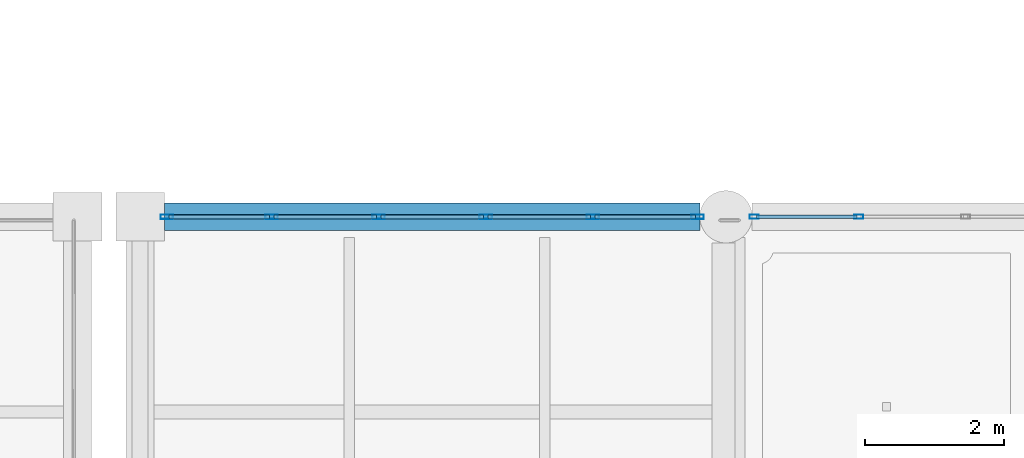
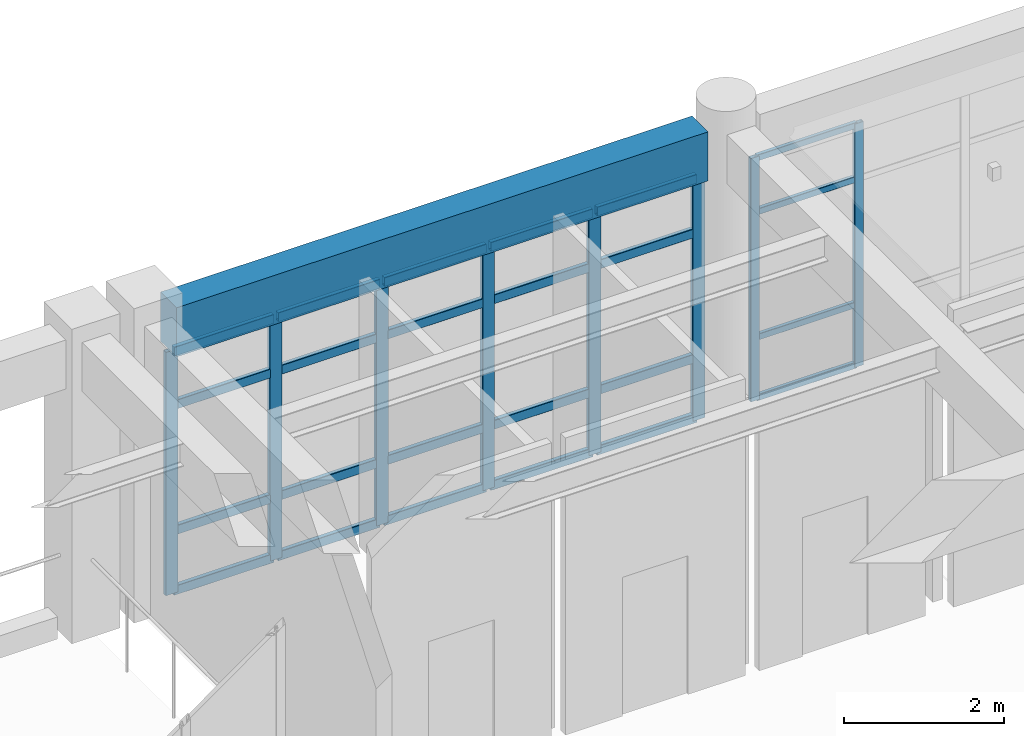
# One storey, part 18 of 111: 32 members, 1 beam, 2 elements without a shape of their own.
"""IFC4 building model written with IfcOpenShell, lengths in metres."""

from ifc_helpers import new_model, si_unit, direction, frame, origin, origin_2d, place, context, subcontext, project, spatial, rectangle, hollow_rectangle, extrude, material, material_profile, profile_set, type_object, element, aggregate, save


model = new_model("IFC4")

# Units and contexts
model_context = context("Model", 3, precision=1e-05, world=origin(), true_north=direction((0.0, 1.0)))
body_context = subcontext(model_context, "Body", "Model", "MODEL_VIEW")
ifc_project = project(units=[si_unit("LENGTHUNIT", "METRE"), si_unit("AREAUNIT", "SQUARE_METRE"), si_unit("VOLUMEUNIT", "CUBIC_METRE"), si_unit("PLANEANGLEUNIT", "RADIAN"), si_unit("MASSUNIT", "GRAM", prefix="KILO")], contexts=[model_context])

# Site, building, storey
site_placement = place(None, origin())
site = spatial("IfcSite", under=ifc_project, at=site_placement, CompositionType="ELEMENT")
building_placement = place(site_placement, origin())
building = spatial("IfcBuilding", under=site, at=building_placement, Name="Canglan Escarpment Cableway Terminal", CompositionType="ELEMENT")
storey_placement = place(building_placement, frame((0.0, 0.0, 4.800048828125)))
storey = spatial("IfcBuildingStorey", under=building, at=storey_placement, Name="L01", CompositionType="ELEMENT", Elevation=4.800048828125)

# Curtain wall, members
ifc_material_1 = material(Name="Anodized bronze aluminium and Low-E double glazing", Category="aluminium")
curtain_wall_type_1 = type_object("IfcCurtainWallType", Name="CW-BAY-7650x3725", PredefinedType="NOTDEFINED", material=ifc_material_1)
curtain_wall_1_placement = place(storey_placement, origin())
curtain_wall_1 = element("IfcCurtainWall", 1, at=curtain_wall_1_placement, inside=storey, type_object=curtain_wall_type_1, Name="Classical bay-between-piers glazed curtain wall CW-01", PredefinedType="NOTDEFINED")
ifc_material_2 = material(Name="Thermally broken anodized aluminium 6063-T6", Category="aluminium")
ifc_material_profile_1 = material_profile(ifc_material_2, hollow_rectangle(XDim=0.06005859375, YDim=0.1298828125, WallThickness=0.0029296875, InnerFilletRadius=0.0029296875, OuterFilletRadius=0.006103515625, at=origin_2d()), Name="ALU-MULL 60x130x3")
ifc_profile_set_1 = profile_set([ifc_material_profile_1], Name="Thermally broken anodized aluminium 6063-T6")
member_type_1 = type_object("IfcMemberType", Name="CWM-01", PredefinedType="MULLION", material=ifc_profile_set_1)
member_1_placement = place(storey_placement, frame((52.804931640625, 24.800048828125, 0.0), z_axis=(0.0, 0.0, 1.0), x_axis=(0.0, -1.0, 0.0)))
member_1 = element("IfcMember", 2, at=member_1_placement, type_object=member_type_1, Name="CW-01 mullion 5", PredefinedType="MULLION", context=body_context, shape_type="SweptSolid", body=[
    extrude(hollow_rectangle(XDim=0.06005859375, YDim=0.1298828125, WallThickness=0.0029296875, InnerFilletRadius=0.0029296875, OuterFilletRadius=0.006103515625, at=origin_2d()), origin(), (0.0, 0.0, 1.0), 3.71484375),
])
member_2_placement = place(storey_placement, frame((51.304931640625, 24.800048828125, 0.0), z_axis=(0.0, 0.0, 1.0), x_axis=(0.0, -1.0, 0.0)))
member_2 = element("IfcMember", 3, at=member_2_placement, type_object=member_type_1, Name="CW-01 mullion 6", PredefinedType="MULLION", context=body_context, shape_type="SweptSolid", body=[
    extrude(hollow_rectangle(XDim=0.06005859375, YDim=0.1298828125, WallThickness=0.0029296875, InnerFilletRadius=0.0029296875, OuterFilletRadius=0.006103515625, at=origin_2d()), origin(), (0.0, 0.0, 1.0), 3.71484375),
])

curtain_wall_type_2 = type_object("IfcCurtainWallType", Name="CW-BAY-7675x3725", PredefinedType="NOTDEFINED", material=ifc_material_1)
curtain_wall_2_placement = place(storey_placement, origin())
curtain_wall_2 = element("IfcCurtainWall", 4, at=curtain_wall_2_placement, inside=storey, type_object=curtain_wall_type_2, Name="Classical bay-between-piers glazed curtain wall CW-05", PredefinedType="NOTDEFINED")
ifc_material_profile_2 = material_profile(ifc_material_2, hollow_rectangle(XDim=0.06494140625, YDim=0.179931640625, WallThickness=0.00390625, InnerFilletRadius=0.00390625, OuterFilletRadius=0.008056640625, at=origin_2d()), Name="ALU-MULL 65x180x4")
ifc_profile_set_2 = profile_set([ifc_material_profile_2], Name="Thermally broken anodized aluminium 6063-T6")
member_type_2 = type_object("IfcMemberType", Name="CWM-03", PredefinedType="MULLION", material=ifc_profile_set_2)
member_3_placement = place(storey_placement, frame((50.492431640625, 24.800048828125, 0.0), z_axis=(0.0, 0.0, 1.0), x_axis=(0.0, -1.0, 0.0)))
member_3 = element("IfcMember", 5, at=member_3_placement, type_object=member_type_2, Name="CW-05 mullion 1", PredefinedType="MULLION", context=body_context, shape_type="SweptSolid", body=[
    extrude(hollow_rectangle(XDim=0.06494140625, YDim=0.179931640625, WallThickness=0.00390625, InnerFilletRadius=0.00390625, OuterFilletRadius=0.008056640625, at=origin_2d()), origin(), (0.0, 0.0, 1.0), 3.71484375),
])
member_4_placement = place(storey_placement, frame((48.989990234375, 24.800048828125, 0.0), z_axis=(0.0, 0.0, 1.0), x_axis=(0.0, -1.0, 0.0)))
member_4 = element("IfcMember", 6, at=member_4_placement, type_object=member_type_2, Name="CW-05 mullion 2", PredefinedType="MULLION", context=body_context, shape_type="SweptSolid", body=[
    extrude(hollow_rectangle(XDim=0.06494140625, YDim=0.179931640625, WallThickness=0.00390625, InnerFilletRadius=0.00390625, OuterFilletRadius=0.008056640625, at=origin_2d()), origin(), (0.0, 0.0, 1.0), 3.71484375),
])
member_5_placement = place(storey_placement, frame((47.455078125, 24.800048828125, 0.0), z_axis=(0.0, 0.0, 1.0), x_axis=(0.0, -1.0, 0.0)))
member_5 = element("IfcMember", 7, at=member_5_placement, type_object=member_type_2, Name="CW-05 mullion 3", PredefinedType="MULLION", context=body_context, shape_type="SweptSolid", body=[
    extrude(hollow_rectangle(XDim=0.06494140625, YDim=0.179931640625, WallThickness=0.00390625, InnerFilletRadius=0.00390625, OuterFilletRadius=0.008056640625, at=origin_2d()), origin(), (0.0, 0.0, 1.0), 3.71484375),
])
member_6_placement = place(storey_placement, frame((45.919921875, 24.800048828125, 0.0), z_axis=(0.0, 0.0, 1.0), x_axis=(0.0, -1.0, 0.0)))
member_6 = element("IfcMember", 8, at=member_6_placement, type_object=member_type_2, Name="CW-05 mullion 4", PredefinedType="MULLION", context=body_context, shape_type="SweptSolid", body=[
    extrude(hollow_rectangle(XDim=0.06494140625, YDim=0.179931640625, WallThickness=0.00390625, InnerFilletRadius=0.00390625, OuterFilletRadius=0.008056640625, at=origin_2d()), origin(), (0.0, 0.0, 1.0), 3.71484375),
])
member_7_placement = place(storey_placement, frame((44.385009765625, 24.800048828125, 0.0), z_axis=(0.0, 0.0, 1.0), x_axis=(0.0, -1.0, 0.0)))
member_7 = element("IfcMember", 9, at=member_7_placement, type_object=member_type_2, Name="CW-05 mullion 5", PredefinedType="MULLION", context=body_context, shape_type="SweptSolid", body=[
    extrude(hollow_rectangle(XDim=0.06494140625, YDim=0.179931640625, WallThickness=0.00390625, InnerFilletRadius=0.00390625, OuterFilletRadius=0.008056640625, at=origin_2d()), origin(), (0.0, 0.0, 1.0), 3.71484375),
])
member_8_placement = place(storey_placement, frame((42.882568359375, 24.800048828125, 0.0), z_axis=(0.0, 0.0, 1.0), x_axis=(0.0, -1.0, 0.0)))
member_8 = element("IfcMember", 10, at=member_8_placement, type_object=member_type_2, Name="CW-05 mullion 6", PredefinedType="MULLION", context=body_context, shape_type="SweptSolid", body=[
    extrude(hollow_rectangle(XDim=0.06494140625, YDim=0.179931640625, WallThickness=0.00390625, InnerFilletRadius=0.00390625, OuterFilletRadius=0.008056640625, at=origin_2d()), origin(), (0.0, 0.0, 1.0), 3.71484375),
])

# Member
ifc_material_profile_3 = material_profile(ifc_material_2, hollow_rectangle(XDim=0.054931640625, YDim=0.094970703125, WallThickness=0.0029296875, InnerFilletRadius=0.0029296875, OuterFilletRadius=0.006103515625, at=origin_2d()), Name="ALU-TRAN 55x95x3")
ifc_profile_set_3 = profile_set([ifc_material_profile_3], Name="Thermally broken anodized aluminium 6063-T6")
member_type_3 = type_object("IfcMemberType", Name="CWT-01", PredefinedType="USERDEFINED", material=ifc_profile_set_3)
member_9_placement = place(storey_placement, frame((52.77490234375, 24.800048828125, 0.02734375), z_axis=(-1.0, 0.0, 0.0), x_axis=(0.0, -1.0, 0.0)))
member_9 = element("IfcMember", 11, at=member_9_placement, type_object=member_type_3, Name="CW-01 transom 5.1", ObjectType="TRANSOM", PredefinedType="USERDEFINED", context=body_context, shape_type="SweptSolid", body=[
    extrude(hollow_rectangle(XDim=0.054931640625, YDim=0.094970703125, WallThickness=0.0029296875, InnerFilletRadius=0.0029296875, OuterFilletRadius=0.006103515625, at=origin_2d()), origin(), (0.0, 0.0, 1.0), 1.43994140625),
])

member_10_placement = place(storey_placement, frame((52.77490234375, 24.800048828125, 0.949951171875), z_axis=(-1.0, 0.0, 0.0), x_axis=(0.0, -1.0, 0.0)))
member_10 = element("IfcMember", 12, at=member_10_placement, type_object=member_type_3, Name="CW-01 transom 5.2", ObjectType="TRANSOM", PredefinedType="USERDEFINED", context=body_context, shape_type="SweptSolid", body=[
    extrude(hollow_rectangle(XDim=0.054931640625, YDim=0.094970703125, WallThickness=0.0029296875, InnerFilletRadius=0.0029296875, OuterFilletRadius=0.006103515625, at=origin_2d()), origin(), (0.0, 0.0, 1.0), 1.43994140625),
])

member_11_placement = place(storey_placement, frame((52.77490234375, 24.800048828125, 2.864990234375), z_axis=(-1.0, 0.0, 0.0), x_axis=(0.0, -1.0, 0.0)))
member_11 = element("IfcMember", 13, at=member_11_placement, type_object=member_type_3, Name="CW-01 transom 5.3", ObjectType="TRANSOM", PredefinedType="USERDEFINED", context=body_context, shape_type="SweptSolid", body=[
    extrude(hollow_rectangle(XDim=0.054931640625, YDim=0.094970703125, WallThickness=0.0029296875, InnerFilletRadius=0.0029296875, OuterFilletRadius=0.006103515625, at=origin_2d()), origin(), (0.0, 0.0, 1.0), 1.43994140625),
])

member_12_placement = place(storey_placement, frame((52.77490234375, 24.800048828125, 3.6875), z_axis=(-1.0, 0.0, 0.0), x_axis=(0.0, -1.0, 0.0)))
member_12 = element("IfcMember", 14, at=member_12_placement, type_object=member_type_3, Name="CW-01 transom 5.4", ObjectType="TRANSOM", PredefinedType="USERDEFINED", context=body_context, shape_type="SweptSolid", body=[
    extrude(hollow_rectangle(XDim=0.054931640625, YDim=0.094970703125, WallThickness=0.0029296875, InnerFilletRadius=0.0029296875, OuterFilletRadius=0.006103515625, at=origin_2d()), origin(), (0.0, 0.0, 1.0), 1.43994140625),
])

aggregate(curtain_wall_1, [member_1, member_2, member_9, member_10, member_11, member_12])

ifc_material_profile_4 = material_profile(ifc_material_2, hollow_rectangle(XDim=0.06494140625, YDim=0.139892578125, WallThickness=0.00341796875, InnerFilletRadius=0.00341796875, OuterFilletRadius=0.007080078125, at=origin_2d()), Name="ALU-TRAN 65x140x3.5")
ifc_profile_set_4 = profile_set([ifc_material_profile_4], Name="Thermally broken anodized aluminium 6063-T6")
member_type_4 = type_object("IfcMemberType", Name="CWT-03", PredefinedType="USERDEFINED", material=ifc_profile_set_4)
member_13_placement = place(storey_placement, frame((50.4599609375, 24.800048828125, 0.032470703125), z_axis=(-1.0, 0.0, 0.0), x_axis=(0.0, -1.0, 0.0)))
member_13 = element("IfcMember", 15, at=member_13_placement, type_object=member_type_4, Name="CW-05 transom 1.1", ObjectType="TRANSOM", PredefinedType="USERDEFINED", context=body_context, shape_type="SweptSolid", body=[
    extrude(hollow_rectangle(XDim=0.06494140625, YDim=0.139892578125, WallThickness=0.00341796875, InnerFilletRadius=0.00341796875, OuterFilletRadius=0.007080078125, at=origin_2d()), origin(), (0.0, 0.0, 1.0), 1.4375),
])

member_14_placement = place(storey_placement, frame((50.4599609375, 24.800048828125, 0.949951171875), z_axis=(-1.0, 0.0, 0.0), x_axis=(0.0, -1.0, 0.0)))
member_14 = element("IfcMember", 16, at=member_14_placement, type_object=member_type_4, Name="CW-05 transom 1.2", ObjectType="TRANSOM", PredefinedType="USERDEFINED", context=body_context, shape_type="SweptSolid", body=[
    extrude(hollow_rectangle(XDim=0.06494140625, YDim=0.139892578125, WallThickness=0.00341796875, InnerFilletRadius=0.00341796875, OuterFilletRadius=0.007080078125, at=origin_2d()), origin(), (0.0, 0.0, 1.0), 1.4375),
])

member_15_placement = place(storey_placement, frame((50.4599609375, 24.800048828125, 2.864990234375), z_axis=(-1.0, 0.0, 0.0), x_axis=(0.0, -1.0, 0.0)))
member_15 = element("IfcMember", 17, at=member_15_placement, type_object=member_type_4, Name="CW-05 transom 1.3", ObjectType="TRANSOM", PredefinedType="USERDEFINED", context=body_context, shape_type="SweptSolid", body=[
    extrude(hollow_rectangle(XDim=0.06494140625, YDim=0.139892578125, WallThickness=0.00341796875, InnerFilletRadius=0.00341796875, OuterFilletRadius=0.007080078125, at=origin_2d()), origin(), (0.0, 0.0, 1.0), 1.4375),
])

member_16_placement = place(storey_placement, frame((50.4599609375, 24.800048828125, 3.682373046875), z_axis=(-1.0, 0.0, 0.0), x_axis=(0.0, -1.0, 0.0)))
member_16 = element("IfcMember", 18, at=member_16_placement, type_object=member_type_4, Name="CW-05 transom 1.4", ObjectType="TRANSOM", PredefinedType="USERDEFINED", context=body_context, shape_type="SweptSolid", body=[
    extrude(hollow_rectangle(XDim=0.06494140625, YDim=0.139892578125, WallThickness=0.00341796875, InnerFilletRadius=0.00341796875, OuterFilletRadius=0.007080078125, at=origin_2d()), origin(), (0.0, 0.0, 1.0), 1.4375),
])

member_17_placement = place(storey_placement, frame((48.95751953125, 24.800048828125, 0.032470703125), z_axis=(-1.0, 0.0, 0.0), x_axis=(0.0, -1.0, 0.0)))
member_17 = element("IfcMember", 19, at=member_17_placement, type_object=member_type_4, Name="CW-05 transom 2.1", ObjectType="TRANSOM", PredefinedType="USERDEFINED", context=body_context, shape_type="SweptSolid", body=[
    extrude(hollow_rectangle(XDim=0.06494140625, YDim=0.139892578125, WallThickness=0.00341796875, InnerFilletRadius=0.00341796875, OuterFilletRadius=0.007080078125, at=origin_2d()), origin(), (0.0, 0.0, 1.0), 1.469970703125),
])

member_18_placement = place(storey_placement, frame((48.95751953125, 24.800048828125, 0.949951171875), z_axis=(-1.0, 0.0, 0.0), x_axis=(0.0, -1.0, 0.0)))
member_18 = element("IfcMember", 20, at=member_18_placement, type_object=member_type_4, Name="CW-05 transom 2.2", ObjectType="TRANSOM", PredefinedType="USERDEFINED", context=body_context, shape_type="SweptSolid", body=[
    extrude(hollow_rectangle(XDim=0.06494140625, YDim=0.139892578125, WallThickness=0.00341796875, InnerFilletRadius=0.00341796875, OuterFilletRadius=0.007080078125, at=origin_2d()), origin(), (0.0, 0.0, 1.0), 1.469970703125),
])

member_19_placement = place(storey_placement, frame((48.95751953125, 24.800048828125, 2.864990234375), z_axis=(-1.0, 0.0, 0.0), x_axis=(0.0, -1.0, 0.0)))
member_19 = element("IfcMember", 21, at=member_19_placement, type_object=member_type_4, Name="CW-05 transom 2.3", ObjectType="TRANSOM", PredefinedType="USERDEFINED", context=body_context, shape_type="SweptSolid", body=[
    extrude(hollow_rectangle(XDim=0.06494140625, YDim=0.139892578125, WallThickness=0.00341796875, InnerFilletRadius=0.00341796875, OuterFilletRadius=0.007080078125, at=origin_2d()), origin(), (0.0, 0.0, 1.0), 1.469970703125),
])

member_20_placement = place(storey_placement, frame((48.95751953125, 24.800048828125, 3.682373046875), z_axis=(-1.0, 0.0, 0.0), x_axis=(0.0, -1.0, 0.0)))
member_20 = element("IfcMember", 22, at=member_20_placement, type_object=member_type_4, Name="CW-05 transom 2.4", ObjectType="TRANSOM", PredefinedType="USERDEFINED", context=body_context, shape_type="SweptSolid", body=[
    extrude(hollow_rectangle(XDim=0.06494140625, YDim=0.139892578125, WallThickness=0.00341796875, InnerFilletRadius=0.00341796875, OuterFilletRadius=0.007080078125, at=origin_2d()), origin(), (0.0, 0.0, 1.0), 1.469970703125),
])

member_21_placement = place(storey_placement, frame((47.422607421875, 24.800048828125, 0.032470703125), z_axis=(-1.0, 0.0, 0.0), x_axis=(0.0, -1.0, 0.0)))
member_21 = element("IfcMember", 23, at=member_21_placement, type_object=member_type_4, Name="CW-05 transom 3.1", ObjectType="TRANSOM", PredefinedType="USERDEFINED", context=body_context, shape_type="SweptSolid", body=[
    extrude(hollow_rectangle(XDim=0.06494140625, YDim=0.139892578125, WallThickness=0.00341796875, InnerFilletRadius=0.00341796875, OuterFilletRadius=0.007080078125, at=origin_2d()), origin(), (0.0, 0.0, 1.0), 1.47021484375),
])

member_22_placement = place(storey_placement, frame((47.422607421875, 24.800048828125, 0.949951171875), z_axis=(-1.0, 0.0, 0.0), x_axis=(0.0, -1.0, 0.0)))
member_22 = element("IfcMember", 24, at=member_22_placement, type_object=member_type_4, Name="CW-05 transom 3.2", ObjectType="TRANSOM", PredefinedType="USERDEFINED", context=body_context, shape_type="SweptSolid", body=[
    extrude(hollow_rectangle(XDim=0.06494140625, YDim=0.139892578125, WallThickness=0.00341796875, InnerFilletRadius=0.00341796875, OuterFilletRadius=0.007080078125, at=origin_2d()), origin(), (0.0, 0.0, 1.0), 1.47021484375),
])

member_23_placement = place(storey_placement, frame((47.422607421875, 24.800048828125, 2.864990234375), z_axis=(-1.0, 0.0, 0.0), x_axis=(0.0, -1.0, 0.0)))
member_23 = element("IfcMember", 25, at=member_23_placement, type_object=member_type_4, Name="CW-05 transom 3.3", ObjectType="TRANSOM", PredefinedType="USERDEFINED", context=body_context, shape_type="SweptSolid", body=[
    extrude(hollow_rectangle(XDim=0.06494140625, YDim=0.139892578125, WallThickness=0.00341796875, InnerFilletRadius=0.00341796875, OuterFilletRadius=0.007080078125, at=origin_2d()), origin(), (0.0, 0.0, 1.0), 1.47021484375),
])

member_24_placement = place(storey_placement, frame((47.422607421875, 24.800048828125, 3.682373046875), z_axis=(-1.0, 0.0, 0.0), x_axis=(0.0, -1.0, 0.0)))
member_24 = element("IfcMember", 26, at=member_24_placement, type_object=member_type_4, Name="CW-05 transom 3.4", ObjectType="TRANSOM", PredefinedType="USERDEFINED", context=body_context, shape_type="SweptSolid", body=[
    extrude(hollow_rectangle(XDim=0.06494140625, YDim=0.139892578125, WallThickness=0.00341796875, InnerFilletRadius=0.00341796875, OuterFilletRadius=0.007080078125, at=origin_2d()), origin(), (0.0, 0.0, 1.0), 1.47021484375),
])

member_25_placement = place(storey_placement, frame((45.887451171875, 24.800048828125, 0.032470703125), z_axis=(-1.0, 0.0, 0.0), x_axis=(0.0, -1.0, 0.0)))
member_25 = element("IfcMember", 27, at=member_25_placement, type_object=member_type_4, Name="CW-05 transom 4.1", ObjectType="TRANSOM", PredefinedType="USERDEFINED", context=body_context, shape_type="SweptSolid", body=[
    extrude(hollow_rectangle(XDim=0.06494140625, YDim=0.139892578125, WallThickness=0.00341796875, InnerFilletRadius=0.00341796875, OuterFilletRadius=0.007080078125, at=origin_2d()), origin(), (0.0, 0.0, 1.0), 1.469970703125),
])

member_26_placement = place(storey_placement, frame((45.887451171875, 24.800048828125, 0.949951171875), z_axis=(-1.0, 0.0, 0.0), x_axis=(0.0, -1.0, 0.0)))
member_26 = element("IfcMember", 28, at=member_26_placement, type_object=member_type_4, Name="CW-05 transom 4.2", ObjectType="TRANSOM", PredefinedType="USERDEFINED", context=body_context, shape_type="SweptSolid", body=[
    extrude(hollow_rectangle(XDim=0.06494140625, YDim=0.139892578125, WallThickness=0.00341796875, InnerFilletRadius=0.00341796875, OuterFilletRadius=0.007080078125, at=origin_2d()), origin(), (0.0, 0.0, 1.0), 1.469970703125),
])

member_27_placement = place(storey_placement, frame((45.887451171875, 24.800048828125, 2.864990234375), z_axis=(-1.0, 0.0, 0.0), x_axis=(0.0, -1.0, 0.0)))
member_27 = element("IfcMember", 29, at=member_27_placement, type_object=member_type_4, Name="CW-05 transom 4.3", ObjectType="TRANSOM", PredefinedType="USERDEFINED", context=body_context, shape_type="SweptSolid", body=[
    extrude(hollow_rectangle(XDim=0.06494140625, YDim=0.139892578125, WallThickness=0.00341796875, InnerFilletRadius=0.00341796875, OuterFilletRadius=0.007080078125, at=origin_2d()), origin(), (0.0, 0.0, 1.0), 1.469970703125),
])

member_28_placement = place(storey_placement, frame((45.887451171875, 24.800048828125, 3.682373046875), z_axis=(-1.0, 0.0, 0.0), x_axis=(0.0, -1.0, 0.0)))
member_28 = element("IfcMember", 30, at=member_28_placement, type_object=member_type_4, Name="CW-05 transom 4.4", ObjectType="TRANSOM", PredefinedType="USERDEFINED", context=body_context, shape_type="SweptSolid", body=[
    extrude(hollow_rectangle(XDim=0.06494140625, YDim=0.139892578125, WallThickness=0.00341796875, InnerFilletRadius=0.00341796875, OuterFilletRadius=0.007080078125, at=origin_2d()), origin(), (0.0, 0.0, 1.0), 1.469970703125),
])

member_29_placement = place(storey_placement, frame((44.3525390625, 24.800048828125, 0.032470703125), z_axis=(-1.0, 0.0, 0.0), x_axis=(0.0, -1.0, 0.0)))
member_29 = element("IfcMember", 31, at=member_29_placement, type_object=member_type_4, Name="CW-05 transom 5.1", ObjectType="TRANSOM", PredefinedType="USERDEFINED", context=body_context, shape_type="SweptSolid", body=[
    extrude(hollow_rectangle(XDim=0.06494140625, YDim=0.139892578125, WallThickness=0.00341796875, InnerFilletRadius=0.00341796875, OuterFilletRadius=0.007080078125, at=origin_2d()), origin(), (0.0, 0.0, 1.0), 1.4375),
])

member_30_placement = place(storey_placement, frame((44.3525390625, 24.800048828125, 0.949951171875), z_axis=(-1.0, 0.0, 0.0), x_axis=(0.0, -1.0, 0.0)))
member_30 = element("IfcMember", 32, at=member_30_placement, type_object=member_type_4, Name="CW-05 transom 5.2", ObjectType="TRANSOM", PredefinedType="USERDEFINED", context=body_context, shape_type="SweptSolid", body=[
    extrude(hollow_rectangle(XDim=0.06494140625, YDim=0.139892578125, WallThickness=0.00341796875, InnerFilletRadius=0.00341796875, OuterFilletRadius=0.007080078125, at=origin_2d()), origin(), (0.0, 0.0, 1.0), 1.4375),
])

member_31_placement = place(storey_placement, frame((44.3525390625, 24.800048828125, 2.864990234375), z_axis=(-1.0, 0.0, 0.0), x_axis=(0.0, -1.0, 0.0)))
member_31 = element("IfcMember", 33, at=member_31_placement, type_object=member_type_4, Name="CW-05 transom 5.3", ObjectType="TRANSOM", PredefinedType="USERDEFINED", context=body_context, shape_type="SweptSolid", body=[
    extrude(hollow_rectangle(XDim=0.06494140625, YDim=0.139892578125, WallThickness=0.00341796875, InnerFilletRadius=0.00341796875, OuterFilletRadius=0.007080078125, at=origin_2d()), origin(), (0.0, 0.0, 1.0), 1.4375),
])

member_32_placement = place(storey_placement, frame((44.3525390625, 24.800048828125, 3.682373046875), z_axis=(-1.0, 0.0, 0.0), x_axis=(0.0, -1.0, 0.0)))
member_32 = element("IfcMember", 34, at=member_32_placement, type_object=member_type_4, Name="CW-05 transom 5.4", ObjectType="TRANSOM", PredefinedType="USERDEFINED", context=body_context, shape_type="SweptSolid", body=[
    extrude(hollow_rectangle(XDim=0.06494140625, YDim=0.139892578125, WallThickness=0.00341796875, InnerFilletRadius=0.00341796875, OuterFilletRadius=0.007080078125, at=origin_2d()), origin(), (0.0, 0.0, 1.0), 1.4375),
])

aggregate(curtain_wall_2, [member_3, member_4, member_5, member_6, member_7, member_8, member_13, member_14, member_15, member_16, member_17, member_18, member_19, member_20, member_21, member_22, member_23, member_24, member_25, member_26, member_27, member_28, member_29, member_30, member_31, member_32])

# Beam
ifc_material_3 = material(Name="Concrete C40", Category="concrete")
ifc_material_profile_5 = material_profile(ifc_material_3, rectangle(XDim=0.39990234375, YDim=0.75, at=origin_2d()), Name="RC 400x750")
ifc_profile_set_5 = profile_set([ifc_material_profile_5], Name="Concrete C40")
beam_type = type_object("IfcBeamType", Name="SP-RC400x750", PredefinedType="SPANDREL", material=ifc_profile_set_5)
beam_placement = place(storey_placement, frame((42.85009765625, 24.800048828125, 4.10498046875), z_axis=(1.0, 0.0, 0.0), x_axis=(0.0, 1.0, 0.0)))
element("IfcBeam", 35, at=beam_placement, inside=storey, type_object=beam_type, Name="Primary structural girder SP-01", PredefinedType="SPANDREL", context=body_context, shape_type="SweptSolid", body=[
    extrude(rectangle(XDim=0.39990234375, YDim=0.75, at=origin_2d()), origin(), (0.0, 0.0, 1.0), 7.6748046875),
])

save(model, "model.ifc")
